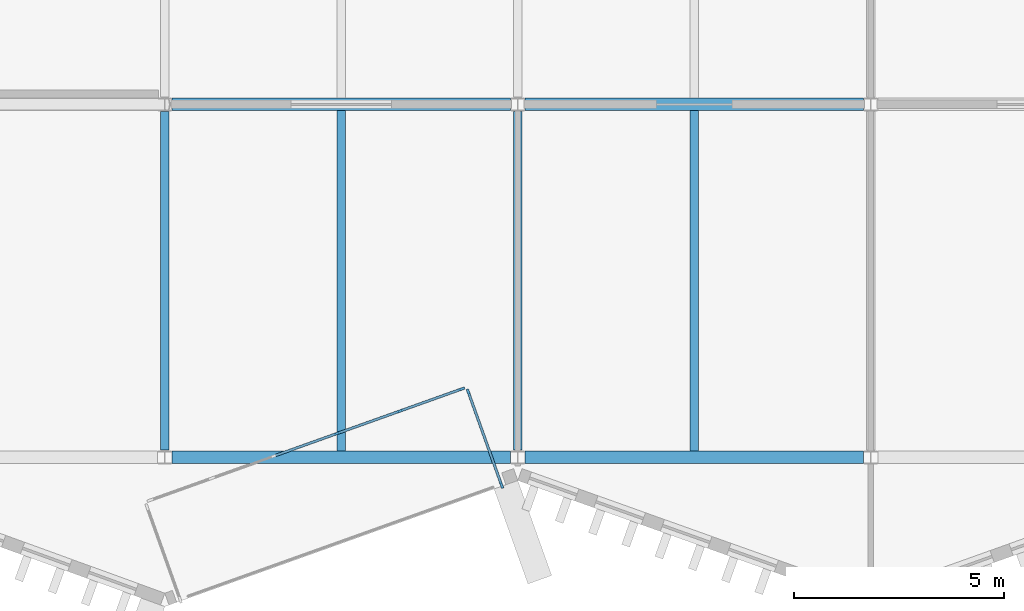
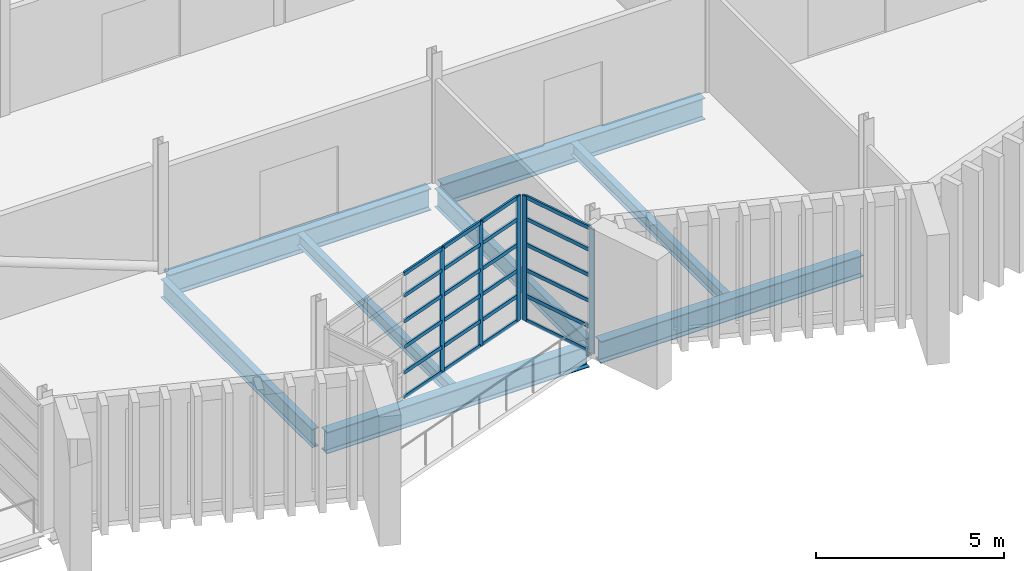
# One storey, part 13 of 100: 29 members, 8 beams, 2 elements without a shape of their own.
"""IFC4 building model written with IfcOpenShell, lengths in metres."""

from ifc_helpers import new_model, si_unit, direction, frame, origin, origin_2d, place, context, subcontext, project, spatial, rectangle, i_section, extrude, material, layer, layer_set, material_profile, profile_set, type_object, element, aggregate, save


model = new_model("IFC4")

# Units and contexts
model_context = context("Model", 3, precision=1e-05, world=origin(), true_north=direction((0.0, 1.0)))
body_context = subcontext(model_context, "Body", "Model", "MODEL_VIEW")
ifc_project = project(units=[si_unit("LENGTHUNIT", "METRE"), si_unit("AREAUNIT", "SQUARE_METRE"), si_unit("VOLUMEUNIT", "CUBIC_METRE"), si_unit("PLANEANGLEUNIT", "RADIAN"), si_unit("MASSUNIT", "GRAM", prefix="KILO")], contexts=[model_context])

# Site, building, storey
site_placement = place(None, origin())
site = spatial("IfcSite", under=ifc_project, at=site_placement, CompositionType="ELEMENT")
building_placement = place(site_placement, origin())
building = spatial("IfcBuilding", under=site, at=building_placement, Name="Cresset Court Congress Hotel", CompositionType="ELEMENT")
storey_placement = place(building_placement, frame((0.0, 0.0, 10.199951171875)))
storey = spatial("IfcBuildingStorey", under=building, at=storey_placement, Name="L02", CompositionType="ELEMENT", Elevation=10.199951171875)

# Curtain wall, members
ifc_material_1 = material(Name="Aluminium frame with double glazing", Category="aluminium")
ifc_layer = layer(ifc_material_1, 0.199951171875)
ifc_layer_set = layer_set([ifc_layer], Name="Glazed box curtain wall 1680 module")
curtain_wall_type = type_object("IfcCurtainWallType", Name="Glazed box curtain wall 1680 module", PredefinedType="NOTDEFINED", material=ifc_layer_set)
curtain_wall_1_placement = place(storey_placement, origin())
curtain_wall_1 = element("IfcCurtainWall", 1, at=curtain_wall_1_placement, inside=storey, type_object=curtain_wall_type, Name="Glazed box S0204 front", PredefinedType="NOTDEFINED")
ifc_material_2 = material(Name="Aluminium", Category="aluminium")
ifc_material_profile_1 = material_profile(ifc_material_2, rectangle(XDim=0.06005859375, YDim=0.159912109375, at=origin_2d()), Name="Box mullion 60x160")
ifc_profile_set_1 = profile_set([ifc_material_profile_1], Name="Aluminium")
member_type_1 = type_object("IfcMemberType", Name="Box mullion 60x160", PredefinedType="MULLION", material=ifc_profile_set_1)
member_1_placement = place(storey_placement, frame((29.304931640625, 0.57080078125, 0.0), z_axis=(0.0, 0.0, 1.0), x_axis=(-0.336336396981, 0.941741911601, 0.0)))
member_1 = element("IfcMember", 2, at=member_1_placement, type_object=member_type_1, Name="B-X1 mullion 4", PredefinedType="MULLION", context=body_context, shape_type="SweptSolid", body=[
    extrude(rectangle(XDim=0.06005859375, YDim=0.159912109375, at=origin_2d()), origin(), (0.0, 0.0, 1.0), 4.050048828125),
])
member_2_placement = place(storey_placement, frame((30.796630859375, 1.103515625, 0.0), z_axis=(0.0, 0.0, 1.0), x_axis=(-0.336336396981, 0.941741911601, 0.0)))
member_2 = element("IfcMember", 3, at=member_2_placement, type_object=member_type_1, Name="B-X1 mullion 5", PredefinedType="MULLION", context=body_context, shape_type="SweptSolid", body=[
    extrude(rectangle(XDim=0.06005859375, YDim=0.159912109375, at=origin_2d()), origin(), (0.0, 0.0, 1.0), 4.050048828125),
])
member_3_placement = place(storey_placement, frame((32.260009765625, 1.6259765625, 0.0), z_axis=(0.0, 0.0, 1.0), x_axis=(-0.336336396981, 0.941741911601, 0.0)))
member_3 = element("IfcMember", 4, at=member_3_placement, type_object=member_type_1, Name="B-X1 mullion 6", PredefinedType="MULLION", context=body_context, shape_type="SweptSolid", body=[
    extrude(rectangle(XDim=0.06005859375, YDim=0.159912109375, at=origin_2d()), origin(), (0.0, 0.0, 1.0), 4.050048828125),
])

curtain_wall_2_placement = place(storey_placement, origin())
curtain_wall_2 = element("IfcCurtainWall", 5, at=curtain_wall_2_placement, inside=storey, type_object=curtain_wall_type, Name="Glazed box S0204 side", PredefinedType="NOTDEFINED")
member_4_placement = place(storey_placement, frame((33.213134765625, -0.65625, 0.0), z_axis=(0.0, 0.0, 1.0), x_axis=(-0.941741911707, -0.336336396685, 0.0)))
member_4 = element("IfcMember", 6, at=member_4_placement, type_object=member_type_1, Name="B-X1 mullion 1", PredefinedType="MULLION", context=body_context, shape_type="SweptSolid", body=[
    extrude(rectangle(XDim=0.06005859375, YDim=0.159912109375, at=origin_2d()), origin(), (0.0, 0.0, 1.0), 4.050048828125),
])
member_5_placement = place(storey_placement, frame((32.42626953125, 1.54736328125, 0.0), z_axis=(0.0, 0.0, 1.0), x_axis=(-0.941741911707, -0.336336396685, 0.0)))
member_5 = element("IfcMember", 7, at=member_5_placement, type_object=member_type_1, Name="B-X1 mullion 2", PredefinedType="MULLION", context=body_context, shape_type="SweptSolid", body=[
    extrude(rectangle(XDim=0.06005859375, YDim=0.159912109375, at=origin_2d()), origin(), (0.0, 0.0, 1.0), 4.050048828125),
])

# Member
ifc_material_3 = material(Name="Aluminium", Category="aluminium")
ifc_material_profile_2 = material_profile(ifc_material_3, rectangle(XDim=0.06005859375, YDim=0.1201171875, at=origin_2d()), Name="Box transom 60x120")
ifc_profile_set_2 = profile_set([ifc_material_profile_2], Name="Aluminium")
member_type_2 = type_object("IfcMemberType", Name="Box transom 60x120", PredefinedType="USERDEFINED", material=ifc_profile_set_2)
member_6_placement = place(storey_placement, frame((27.841552734375, 0.048095703125, 0.030029296875), z_axis=(0.941756410009, 0.336295798675, 0.0), x_axis=(-0.336295798675, 0.941756410009, 0.0)))
member_6 = element("IfcMember", 8, at=member_6_placement, type_object=member_type_2, Name="B-X1 transom 3.1", ObjectType="TRANSOM", PredefinedType="USERDEFINED", context=body_context, shape_type="SweptSolid", body=[
    extrude(rectangle(XDim=0.06005859375, YDim=0.1201171875, at=origin_2d()), origin(), (0.0, 0.0, 1.0), 1.52392578125),
])

member_7_placement = place(storey_placement, frame((27.841552734375, 0.048095703125, 0.830078125), z_axis=(0.941756410009, 0.336295798675, 0.0), x_axis=(-0.336295798675, 0.941756410009, 0.0)))
member_7 = element("IfcMember", 9, at=member_7_placement, type_object=member_type_2, Name="B-X1 transom 3.2", ObjectType="TRANSOM", PredefinedType="USERDEFINED", context=body_context, shape_type="SweptSolid", body=[
    extrude(rectangle(XDim=0.06005859375, YDim=0.1201171875, at=origin_2d()), origin(), (0.0, 0.0, 1.0), 1.52392578125),
])

member_8_placement = place(storey_placement, frame((27.841552734375, 0.048095703125, 1.66015625), z_axis=(0.941756410009, 0.336295798675, 0.0), x_axis=(-0.336295798675, 0.941756410009, 0.0)))
member_8 = element("IfcMember", 10, at=member_8_placement, type_object=member_type_2, Name="B-X1 transom 3.3", ObjectType="TRANSOM", PredefinedType="USERDEFINED", context=body_context, shape_type="SweptSolid", body=[
    extrude(rectangle(XDim=0.06005859375, YDim=0.1201171875, at=origin_2d()), origin(), (0.0, 0.0, 1.0), 1.52392578125),
])

member_9_placement = place(storey_placement, frame((27.841552734375, 0.048095703125, 2.489990234375), z_axis=(0.941756410009, 0.336295798675, 0.0), x_axis=(-0.336295798675, 0.941756410009, 0.0)))
member_9 = element("IfcMember", 11, at=member_9_placement, type_object=member_type_2, Name="B-X1 transom 3.4", ObjectType="TRANSOM", PredefinedType="USERDEFINED", context=body_context, shape_type="SweptSolid", body=[
    extrude(rectangle(XDim=0.06005859375, YDim=0.1201171875, at=origin_2d()), origin(), (0.0, 0.0, 1.0), 1.52392578125),
])

member_10_placement = place(storey_placement, frame((27.841552734375, 0.048095703125, 3.320068359375), z_axis=(0.941756410009, 0.336295798675, 0.0), x_axis=(-0.336295798675, 0.941756410009, 0.0)))
member_10 = element("IfcMember", 12, at=member_10_placement, type_object=member_type_2, Name="B-X1 transom 3.5", ObjectType="TRANSOM", PredefinedType="USERDEFINED", context=body_context, shape_type="SweptSolid", body=[
    extrude(rectangle(XDim=0.06005859375, YDim=0.1201171875, at=origin_2d()), origin(), (0.0, 0.0, 1.0), 1.52392578125),
])

member_11_placement = place(storey_placement, frame((27.841552734375, 0.048095703125, 4.02001953125), z_axis=(0.941756410009, 0.336295798675, 0.0), x_axis=(-0.336295798675, 0.941756410009, 0.0)))
member_11 = element("IfcMember", 13, at=member_11_placement, type_object=member_type_2, Name="B-X1 transom 3.6", ObjectType="TRANSOM", PredefinedType="USERDEFINED", context=body_context, shape_type="SweptSolid", body=[
    extrude(rectangle(XDim=0.06005859375, YDim=0.1201171875, at=origin_2d()), origin(), (0.0, 0.0, 1.0), 1.52392578125),
])

member_12_placement = place(storey_placement, frame((29.333251953125, 0.580810546875, 0.030029296875), z_axis=(0.941756410009, 0.336295798675, 0.0), x_axis=(-0.336295798675, 0.941756410009, 0.0)))
member_12 = element("IfcMember", 14, at=member_12_placement, type_object=member_type_2, Name="B-X1 transom 4.1", ObjectType="TRANSOM", PredefinedType="USERDEFINED", context=body_context, shape_type="SweptSolid", body=[
    extrude(rectangle(XDim=0.06005859375, YDim=0.1201171875, at=origin_2d()), origin(), (0.0, 0.0, 1.0), 1.52392578125),
])

member_13_placement = place(storey_placement, frame((29.333251953125, 0.580810546875, 0.830078125), z_axis=(0.941756410009, 0.336295798675, 0.0), x_axis=(-0.336295798675, 0.941756410009, 0.0)))
member_13 = element("IfcMember", 15, at=member_13_placement, type_object=member_type_2, Name="B-X1 transom 4.2", ObjectType="TRANSOM", PredefinedType="USERDEFINED", context=body_context, shape_type="SweptSolid", body=[
    extrude(rectangle(XDim=0.06005859375, YDim=0.1201171875, at=origin_2d()), origin(), (0.0, 0.0, 1.0), 1.52392578125),
])

member_14_placement = place(storey_placement, frame((29.333251953125, 0.580810546875, 1.66015625), z_axis=(0.941756410009, 0.336295798675, 0.0), x_axis=(-0.336295798675, 0.941756410009, 0.0)))
member_14 = element("IfcMember", 16, at=member_14_placement, type_object=member_type_2, Name="B-X1 transom 4.3", ObjectType="TRANSOM", PredefinedType="USERDEFINED", context=body_context, shape_type="SweptSolid", body=[
    extrude(rectangle(XDim=0.06005859375, YDim=0.1201171875, at=origin_2d()), origin(), (0.0, 0.0, 1.0), 1.52392578125),
])

member_15_placement = place(storey_placement, frame((29.333251953125, 0.580810546875, 2.489990234375), z_axis=(0.941756410009, 0.336295798675, 0.0), x_axis=(-0.336295798675, 0.941756410009, 0.0)))
member_15 = element("IfcMember", 17, at=member_15_placement, type_object=member_type_2, Name="B-X1 transom 4.4", ObjectType="TRANSOM", PredefinedType="USERDEFINED", context=body_context, shape_type="SweptSolid", body=[
    extrude(rectangle(XDim=0.06005859375, YDim=0.1201171875, at=origin_2d()), origin(), (0.0, 0.0, 1.0), 1.52392578125),
])

member_16_placement = place(storey_placement, frame((29.333251953125, 0.580810546875, 3.320068359375), z_axis=(0.941756410009, 0.336295798675, 0.0), x_axis=(-0.336295798675, 0.941756410009, 0.0)))
member_16 = element("IfcMember", 18, at=member_16_placement, type_object=member_type_2, Name="B-X1 transom 4.5", ObjectType="TRANSOM", PredefinedType="USERDEFINED", context=body_context, shape_type="SweptSolid", body=[
    extrude(rectangle(XDim=0.06005859375, YDim=0.1201171875, at=origin_2d()), origin(), (0.0, 0.0, 1.0), 1.52392578125),
])

member_17_placement = place(storey_placement, frame((29.333251953125, 0.580810546875, 4.02001953125), z_axis=(0.941756410009, 0.336295798675, 0.0), x_axis=(-0.336295798675, 0.941756410009, 0.0)))
member_17 = element("IfcMember", 19, at=member_17_placement, type_object=member_type_2, Name="B-X1 transom 4.6", ObjectType="TRANSOM", PredefinedType="USERDEFINED", context=body_context, shape_type="SweptSolid", body=[
    extrude(rectangle(XDim=0.06005859375, YDim=0.1201171875, at=origin_2d()), origin(), (0.0, 0.0, 1.0), 1.52392578125),
])

member_18_placement = place(storey_placement, frame((30.824951171875, 1.113525390625, 0.030029296875), z_axis=(0.941734515945, 0.336357104098, 0.0), x_axis=(-0.336357104098, 0.941734515945, 0.0)))
member_18 = element("IfcMember", 20, at=member_18_placement, type_object=member_type_2, Name="B-X1 transom 5.1", ObjectType="TRANSOM", PredefinedType="USERDEFINED", context=body_context, shape_type="SweptSolid", body=[
    extrude(rectangle(XDim=0.06005859375, YDim=0.1201171875, at=origin_2d()), origin(), (0.0, 0.0, 1.0), 1.49365234375),
])

member_19_placement = place(storey_placement, frame((30.824951171875, 1.113525390625, 0.830078125), z_axis=(0.941734515945, 0.336357104098, 0.0), x_axis=(-0.336357104098, 0.941734515945, 0.0)))
member_19 = element("IfcMember", 21, at=member_19_placement, type_object=member_type_2, Name="B-X1 transom 5.2", ObjectType="TRANSOM", PredefinedType="USERDEFINED", context=body_context, shape_type="SweptSolid", body=[
    extrude(rectangle(XDim=0.06005859375, YDim=0.1201171875, at=origin_2d()), origin(), (0.0, 0.0, 1.0), 1.49365234375),
])

member_20_placement = place(storey_placement, frame((30.824951171875, 1.113525390625, 1.66015625), z_axis=(0.941734515945, 0.336357104098, 0.0), x_axis=(-0.336357104098, 0.941734515945, 0.0)))
member_20 = element("IfcMember", 22, at=member_20_placement, type_object=member_type_2, Name="B-X1 transom 5.3", ObjectType="TRANSOM", PredefinedType="USERDEFINED", context=body_context, shape_type="SweptSolid", body=[
    extrude(rectangle(XDim=0.06005859375, YDim=0.1201171875, at=origin_2d()), origin(), (0.0, 0.0, 1.0), 1.49365234375),
])

member_21_placement = place(storey_placement, frame((30.824951171875, 1.113525390625, 2.489990234375), z_axis=(0.941734515945, 0.336357104098, 0.0), x_axis=(-0.336357104098, 0.941734515945, 0.0)))
member_21 = element("IfcMember", 23, at=member_21_placement, type_object=member_type_2, Name="B-X1 transom 5.4", ObjectType="TRANSOM", PredefinedType="USERDEFINED", context=body_context, shape_type="SweptSolid", body=[
    extrude(rectangle(XDim=0.06005859375, YDim=0.1201171875, at=origin_2d()), origin(), (0.0, 0.0, 1.0), 1.49365234375),
])

member_22_placement = place(storey_placement, frame((30.824951171875, 1.113525390625, 3.320068359375), z_axis=(0.941734515945, 0.336357104098, 0.0), x_axis=(-0.336357104098, 0.941734515945, 0.0)))
member_22 = element("IfcMember", 24, at=member_22_placement, type_object=member_type_2, Name="B-X1 transom 5.5", ObjectType="TRANSOM", PredefinedType="USERDEFINED", context=body_context, shape_type="SweptSolid", body=[
    extrude(rectangle(XDim=0.06005859375, YDim=0.1201171875, at=origin_2d()), origin(), (0.0, 0.0, 1.0), 1.49365234375),
])

member_23_placement = place(storey_placement, frame((30.824951171875, 1.113525390625, 4.02001953125), z_axis=(0.941734515945, 0.336357104098, 0.0), x_axis=(-0.336357104098, 0.941734515945, 0.0)))
member_23 = element("IfcMember", 25, at=member_23_placement, type_object=member_type_2, Name="B-X1 transom 5.6", ObjectType="TRANSOM", PredefinedType="USERDEFINED", context=body_context, shape_type="SweptSolid", body=[
    extrude(rectangle(XDim=0.06005859375, YDim=0.1201171875, at=origin_2d()), origin(), (0.0, 0.0, 1.0), 1.49365234375),
])

aggregate(curtain_wall_1, [member_1, member_2, member_3, member_6, member_7, member_8, member_9, member_10, member_11, member_12, member_13, member_14, member_15, member_16, member_17, member_18, member_19, member_20, member_21, member_22, member_23])

member_24_placement = place(storey_placement, frame((33.203125, -0.6279296875, 0.030029296875), z_axis=(-0.336363532289, 0.941732219979, 0.0), x_axis=(-0.941732219979, -0.336363532289, 0.0)))
member_24 = element("IfcMember", 26, at=member_24_placement, type_object=member_type_2, Name="B-X1 transom 1.1", ObjectType="TRANSOM", PredefinedType="USERDEFINED", context=body_context, shape_type="SweptSolid", body=[
    extrude(rectangle(XDim=0.06005859375, YDim=0.1201171875, at=origin_2d()), origin(), (0.0, 0.0, 1.0), 2.27978515625),
])

member_25_placement = place(storey_placement, frame((33.203125, -0.6279296875, 0.830078125), z_axis=(-0.336363532289, 0.941732219979, 0.0), x_axis=(-0.941732219979, -0.336363532289, 0.0)))
member_25 = element("IfcMember", 27, at=member_25_placement, type_object=member_type_2, Name="B-X1 transom 1.2", ObjectType="TRANSOM", PredefinedType="USERDEFINED", context=body_context, shape_type="SweptSolid", body=[
    extrude(rectangle(XDim=0.06005859375, YDim=0.1201171875, at=origin_2d()), origin(), (0.0, 0.0, 1.0), 2.27978515625),
])

member_26_placement = place(storey_placement, frame((33.203125, -0.6279296875, 1.66015625), z_axis=(-0.336363532289, 0.941732219979, 0.0), x_axis=(-0.941732219979, -0.336363532289, 0.0)))
member_26 = element("IfcMember", 28, at=member_26_placement, type_object=member_type_2, Name="B-X1 transom 1.3", ObjectType="TRANSOM", PredefinedType="USERDEFINED", context=body_context, shape_type="SweptSolid", body=[
    extrude(rectangle(XDim=0.06005859375, YDim=0.1201171875, at=origin_2d()), origin(), (0.0, 0.0, 1.0), 2.27978515625),
])

member_27_placement = place(storey_placement, frame((33.203125, -0.6279296875, 2.489990234375), z_axis=(-0.336363532289, 0.941732219979, 0.0), x_axis=(-0.941732219979, -0.336363532289, 0.0)))
member_27 = element("IfcMember", 29, at=member_27_placement, type_object=member_type_2, Name="B-X1 transom 1.4", ObjectType="TRANSOM", PredefinedType="USERDEFINED", context=body_context, shape_type="SweptSolid", body=[
    extrude(rectangle(XDim=0.06005859375, YDim=0.1201171875, at=origin_2d()), origin(), (0.0, 0.0, 1.0), 2.27978515625),
])

member_28_placement = place(storey_placement, frame((33.203125, -0.6279296875, 3.320068359375), z_axis=(-0.336363532289, 0.941732219979, 0.0), x_axis=(-0.941732219979, -0.336363532289, 0.0)))
member_28 = element("IfcMember", 30, at=member_28_placement, type_object=member_type_2, Name="B-X1 transom 1.5", ObjectType="TRANSOM", PredefinedType="USERDEFINED", context=body_context, shape_type="SweptSolid", body=[
    extrude(rectangle(XDim=0.06005859375, YDim=0.1201171875, at=origin_2d()), origin(), (0.0, 0.0, 1.0), 2.27978515625),
])

member_29_placement = place(storey_placement, frame((33.203125, -0.6279296875, 4.02001953125), z_axis=(-0.336363532289, 0.941732219979, 0.0), x_axis=(-0.941732219979, -0.336363532289, 0.0)))
member_29 = element("IfcMember", 31, at=member_29_placement, type_object=member_type_2, Name="B-X1 transom 1.6", ObjectType="TRANSOM", PredefinedType="USERDEFINED", context=body_context, shape_type="SweptSolid", body=[
    extrude(rectangle(XDim=0.06005859375, YDim=0.1201171875, at=origin_2d()), origin(), (0.0, 0.0, 1.0), 2.27978515625),
])

aggregate(curtain_wall_2, [member_4, member_5, member_24, member_25, member_26, member_27, member_28, member_29])

# Beams
ifc_material_4 = material(Name="Structural steel Q355B", Category="steel")
ifc_material_profile_3 = material_profile(ifc_material_4, i_section(OverallWidth=0.199951171875, OverallDepth=0.60009765625, WebThickness=0.010986328125, FlangeThickness=0.01708984375, FilletRadius=0.012939453125, at=origin_2d()), Name="HN600x200x11x17")
ifc_profile_set_3 = profile_set([ifc_material_profile_3], Name="Structural steel Q355B")
beam_type_1 = type_object("IfcBeamType", Name="Steel beam HN600x200x11x17", PredefinedType="BEAM", material=ifc_profile_set_3)
for number, where, z_axis, x_axis, name in (
    (32, (25.199951171875, 0.175048828125, -0.449951171875), (0.0, 1.0, 0.0), (-1.0, 0.0, 0.0), "B.by.L02.04A"),
    (33, (33.60009765625, 0.175048828125, -0.449951171875), (0.0, 1.0, 0.0), (-1.0, 0.0, 0.0), "B.by.L02.05A"),
):
    element("IfcBeam", number, at=place(storey_placement, frame(where, z_axis=z_axis, x_axis=x_axis)), inside=storey, type_object=beam_type_1, Name=name, PredefinedType="BEAM", context=body_context, shape_type="SweptSolid", body=[
        extrude(i_section(OverallWidth=0.199951171875, OverallDepth=0.60009765625, WebThickness=0.010986328125, FlangeThickness=0.01708984375, FilletRadius=0.012939453125, at=origin_2d()), origin(), (0.0, 0.0, 1.0), 8.050048828125),
    ])
ifc_material_5 = material(Name="Structural steel Q355B", Category="steel")
ifc_material_profile_4 = material_profile(ifc_material_5, i_section(OverallWidth=0.300048828125, OverallDepth=0.699951171875, WebThickness=0.012939453125, FlangeThickness=0.02392578125, FilletRadius=0.01806640625, at=origin_2d()), Name="HN700x300x13x24")
ifc_profile_set_4 = profile_set([ifc_material_profile_4], Name="Structural steel Q355B")
beam_type_2 = type_object("IfcBeamType", Name="Steel beam HN700x300x13x24", PredefinedType="BEAM", material=ifc_profile_set_4)
for number, where, z_axis, x_axis, name in (
    (34, (25.375, 0.0, -0.5), (1.0, 0.0, 0.0), (0.0, 1.0, 0.0), "B.bx.L02.A04"),
    (35, (33.77490234375, 0.0, -0.5), (1.0, 0.0, 0.0), (0.0, 1.0, 0.0), "B.bx.L02.A05"),
    (36, (25.375, 8.39990234375, -0.5), (1.0, 0.0, 0.0), (0.0, 1.0, 0.0), "B.bx.L02.B04"),
    (37, (33.77490234375, 8.39990234375, -0.5), (1.0, 0.0, 0.0), (0.0, 1.0, 0.0), "B.bx.L02.B05"),
):
    element("IfcBeam", number, at=place(storey_placement, frame(where, z_axis=z_axis, x_axis=x_axis)), inside=storey, type_object=beam_type_2, Name=name, PredefinedType="BEAM", context=body_context, shape_type="SweptSolid", body=[
        extrude(i_section(OverallWidth=0.300048828125, OverallDepth=0.699951171875, WebThickness=0.012939453125, FlangeThickness=0.02392578125, FilletRadius=0.01806640625, at=origin_2d()), origin(), (0.0, 0.0, 1.0), 8.050048828125),
    ])
ifc_material_6 = material(Name="Structural steel Q355B", Category="steel")
ifc_material_profile_5 = material_profile(ifc_material_6, i_section(OverallWidth=0.199951171875, OverallDepth=0.39990234375, WebThickness=0.008056640625, FlangeThickness=0.012939453125, FilletRadius=0.01611328125, at=origin_2d()), Name="HN400x200x8x13")
ifc_profile_set_5 = profile_set([ifc_material_profile_5], Name="Structural steel Q355B")
beam_type_3 = type_object("IfcBeamType", Name="Steel joist HN400x200x8x13", PredefinedType="JOIST", material=ifc_profile_set_5)
for number, where, z_axis, x_axis, name in (
    (38, (29.39990234375, 0.14990234375, -0.349853515625), (0.0, 1.0, 0.0), (-1.0, 0.0, 0.0), "B.bj.L02.04A"),
    (39, (37.800048828125, 0.14990234375, -0.349853515625), (0.0, 1.0, 0.0), (-1.0, 0.0, 0.0), "B.bj.L02.05A"),
):
    element("IfcBeam", number, at=place(storey_placement, frame(where, z_axis=z_axis, x_axis=x_axis)), inside=storey, type_object=beam_type_3, Name=name, PredefinedType="JOIST", context=body_context, shape_type="SweptSolid", body=[
        extrude(i_section(OverallWidth=0.199951171875, OverallDepth=0.39990234375, WebThickness=0.008056640625, FlangeThickness=0.012939453125, FilletRadius=0.01611328125, at=origin_2d()), origin(), (0.0, 0.0, 1.0), 8.10009765625),
    ])

save(model, "model.ifc")
